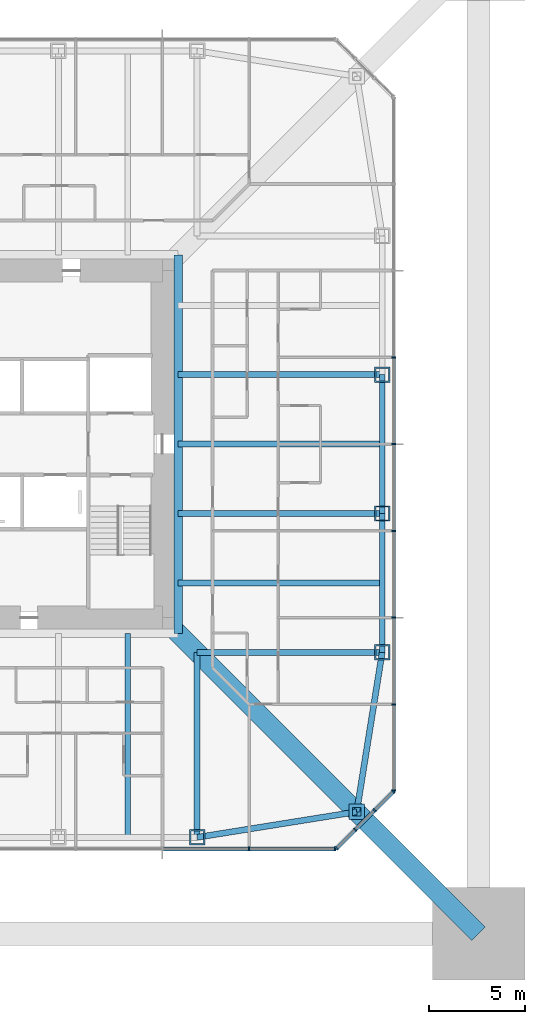
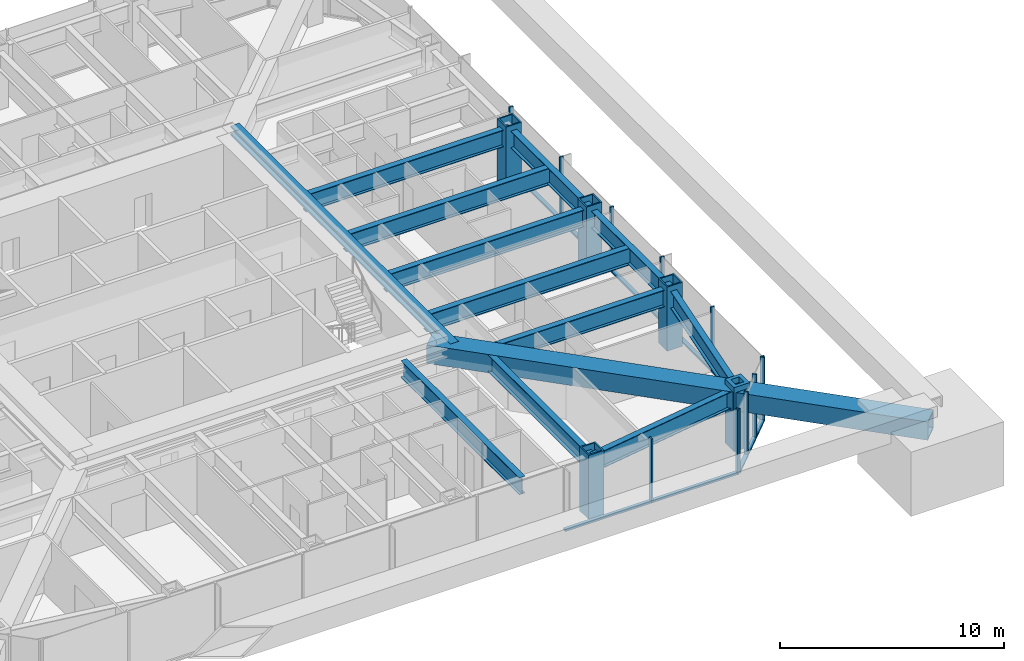
# One storey, part 7 of 20: 29 members, 12 beams, 3 elements without a shape of their own.
"""IFC4 building model written with IfcOpenShell, lengths in metres."""

from ifc_helpers import new_model, si_unit, direction, frame, origin, origin_2d, place, context, subcontext, project, spatial, rectangle, hollow_rectangle, i_section, extrude, material, material_profile, profile_set, type_object, element, aggregate, save


model = new_model("IFC4")

# Units and contexts
model_context = context("Model", 3, precision=1e-05, world=origin(), true_north=direction((0.0, 1.0)))
body_context = subcontext(model_context, "Body", "Model", "MODEL_VIEW")
ifc_project = project(units=[si_unit("LENGTHUNIT", "METRE"), si_unit("AREAUNIT", "SQUARE_METRE"), si_unit("VOLUMEUNIT", "CUBIC_METRE"), si_unit("PLANEANGLEUNIT", "RADIAN"), si_unit("MASSUNIT", "GRAM", prefix="KILO")], contexts=[model_context])

# Site, building, storey
site_placement = place(None, origin())
site = spatial("IfcSite", under=ifc_project, at=site_placement, CompositionType="ELEMENT")
building_placement = place(site_placement, origin())
building = spatial("IfcBuilding", under=site, at=building_placement, Name="Iwan Alto Co-Living Towers", CompositionType="ELEMENT")
storey_placement = place(building_placement, frame((0.0, 0.0, 140.0)))
storey = spatial("IfcBuildingStorey", under=building, at=storey_placement, Name="L38", CompositionType="ELEMENT", Elevation=140.0)

# Curtain wall, members
ifc_material_1 = material(Name="Bronze aluminium unitised frame", Category="aluminium")
curtain_wall_type_1 = type_object("IfcCurtainWallType", Name="CURTAIN WALL CW-A", PredefinedType="NOTDEFINED", material=ifc_material_1)
curtain_wall_1_placement = place(storey_placement, origin())
curtain_wall_1 = element("IfcCurtainWall", 1, at=curtain_wall_1_placement, inside=storey, type_object=curtain_wall_type_1, Name="T1 curtain wall S L38", PredefinedType="NOTDEFINED")
ifc_material_2 = material(Name="Aluminium 6063-T6 bronze anodised", Category="aluminium")
ifc_material_profile_1 = material_profile(ifc_material_2, rectangle(XDim=0.199951171875, YDim=0.080078125, at=origin_2d()), Name="AL 80X200")
ifc_profile_set_1 = profile_set([ifc_material_profile_1], Name="Aluminium 6063-T6 bronze anodised")
member_type_1 = type_object("IfcMemberType", Name="CW-A MULLION 80X200", PredefinedType="MULLION", material=ifc_profile_set_1)
member_1_placement = place(storey_placement, frame((13.5, -21.0, 0.0), z_axis=(0.0, 0.0, 1.0), x_axis=(0.0, 1.0, 0.0)))
member_1 = element("IfcMember", 2, at=member_1_placement, type_object=member_type_1, Name="CW-A mullion 8", PredefinedType="MULLION", context=body_context, shape_type="SweptSolid", body=[
    extrude(rectangle(XDim=0.199951171875, YDim=0.080078125, at=origin_2d()), origin(), (0.0, 0.0, 1.0), 3.5),
])
member_2_placement = place(storey_placement, frame((17.9599609375, -21.0, 0.0), z_axis=(0.0, 0.0, 1.0), x_axis=(0.0, 1.0, 0.0)))
member_2 = element("IfcMember", 3, at=member_2_placement, type_object=member_type_1, Name="CW-A mullion 9", PredefinedType="MULLION", context=body_context, shape_type="SweptSolid", body=[
    extrude(rectangle(XDim=0.199951171875, YDim=0.080078125, at=origin_2d()), origin(), (0.0, 0.0, 1.0), 3.5),
])

curtain_wall_2_placement = place(storey_placement, origin())
curtain_wall_2 = element("IfcCurtainWall", 4, at=curtain_wall_2_placement, inside=storey, type_object=curtain_wall_type_1, Name="T1 curtain wall E L38", PredefinedType="NOTDEFINED")
member_3_placement = place(storey_placement, frame((21.0, -17.9599609375, 0.0), z_axis=(0.0, 0.0, 1.0), x_axis=(-1.0, 0.0, 0.0)))
member_3 = element("IfcMember", 5, at=member_3_placement, type_object=member_type_1, Name="CW-A mullion 1", PredefinedType="MULLION", context=body_context, shape_type="SweptSolid", body=[
    extrude(rectangle(XDim=0.199951171875, YDim=0.080078125, at=origin_2d()), origin(), (0.0, 0.0, 1.0), 3.5),
])
member_4_placement = place(storey_placement, frame((21.0, -13.5, 0.0), z_axis=(0.0, 0.0, 1.0), x_axis=(-1.0, 0.0, 0.0)))
member_4 = element("IfcMember", 6, at=member_4_placement, type_object=member_type_1, Name="CW-A mullion 2", PredefinedType="MULLION", context=body_context, shape_type="SweptSolid", body=[
    extrude(rectangle(XDim=0.199951171875, YDim=0.080078125, at=origin_2d()), origin(), (0.0, 0.0, 1.0), 3.5),
])
member_5_placement = place(storey_placement, frame((21.0, -9.0, 0.0), z_axis=(0.0, 0.0, 1.0), x_axis=(-1.0, 0.0, 0.0)))
member_5 = element("IfcMember", 7, at=member_5_placement, type_object=member_type_1, Name="CW-A mullion 3", PredefinedType="MULLION", context=body_context, shape_type="SweptSolid", body=[
    extrude(rectangle(XDim=0.199951171875, YDim=0.080078125, at=origin_2d()), origin(), (0.0, 0.0, 1.0), 3.5),
])
member_6_placement = place(storey_placement, frame((21.0, -4.5, 0.0), z_axis=(0.0, 0.0, 1.0), x_axis=(-1.0, 0.0, 0.0)))
member_6 = element("IfcMember", 8, at=member_6_placement, type_object=member_type_1, Name="CW-A mullion 4", PredefinedType="MULLION", context=body_context, shape_type="SweptSolid", body=[
    extrude(rectangle(XDim=0.199951171875, YDim=0.080078125, at=origin_2d()), origin(), (0.0, 0.0, 1.0), 3.5),
])
member_7_placement = place(storey_placement, frame((21.0, 0.0, 0.0), z_axis=(0.0, 0.0, 1.0), x_axis=(-1.0, 0.0, 0.0)))
member_7 = element("IfcMember", 9, at=member_7_placement, type_object=member_type_1, Name="CW-A mullion 5", PredefinedType="MULLION", context=body_context, shape_type="SweptSolid", body=[
    extrude(rectangle(XDim=0.199951171875, YDim=0.080078125, at=origin_2d()), origin(), (0.0, 0.0, 1.0), 3.5),
])
member_8_placement = place(storey_placement, frame((21.0, 4.5, 0.0), z_axis=(0.0, 0.0, 1.0), x_axis=(-1.0, 0.0, 0.0)))
member_8 = element("IfcMember", 10, at=member_8_placement, type_object=member_type_1, Name="CW-A mullion 6", PredefinedType="MULLION", context=body_context, shape_type="SweptSolid", body=[
    extrude(rectangle(XDim=0.199951171875, YDim=0.080078125, at=origin_2d()), origin(), (0.0, 0.0, 1.0), 3.5),
])

# Member
ifc_material_3 = material(Name="Aluminium 6063-T6 bronze anodised", Category="aluminium")
ifc_material_profile_2 = material_profile(ifc_material_3, rectangle(XDim=0.199951171875, YDim=0.10009765625, at=origin_2d()), Name="AL 200X100")
ifc_profile_set_2 = profile_set([ifc_material_profile_2], Name="Aluminium 6063-T6 bronze anodised")
member_type_2 = type_object("IfcMemberType", Name="CW-A TRANSOM 200X100", PredefinedType="USERDEFINED", material=ifc_profile_set_2)
member_9_placement = place(storey_placement, frame((9.0400390625, -21.0, 0.050048828125), z_axis=(1.0, 0.0, 0.0), x_axis=(0.0, 1.0, 0.0)))
member_9 = element("IfcMember", 11, at=member_9_placement, type_object=member_type_2, Name="CW-A transom 7.1", ObjectType="TRANSOM", PredefinedType="USERDEFINED", context=body_context, shape_type="SweptSolid", body=[
    extrude(rectangle(XDim=0.199951171875, YDim=0.10009765625, at=origin_2d()), origin(), (0.0, 0.0, 1.0), 4.419921875),
])

member_10_placement = place(storey_placement, frame((13.5400390625, -21.0, 0.050048828125), z_axis=(1.0, 0.0, 0.0), x_axis=(0.0, 1.0, 0.0)))
member_10 = element("IfcMember", 12, at=member_10_placement, type_object=member_type_2, Name="CW-A transom 8.1", ObjectType="TRANSOM", PredefinedType="USERDEFINED", context=body_context, shape_type="SweptSolid", body=[
    extrude(rectangle(XDim=0.199951171875, YDim=0.10009765625, at=origin_2d()), origin(), (0.0, 0.0, 1.0), 4.3798828125),
])

aggregate(curtain_wall_1, [member_1, member_2, member_9, member_10])

member_11_placement = place(storey_placement, frame((21.0, -17.919921875, 0.050048828125), z_axis=(0.0, 1.0, 0.0), x_axis=(-1.0, 0.0, 0.0)))
member_11 = element("IfcMember", 13, at=member_11_placement, type_object=member_type_2, Name="CW-A transom 1.1", ObjectType="TRANSOM", PredefinedType="USERDEFINED", context=body_context, shape_type="SweptSolid", body=[
    extrude(rectangle(XDim=0.199951171875, YDim=0.10009765625, at=origin_2d()), origin(), (0.0, 0.0, 1.0), 4.3798828125),
])

member_12_placement = place(storey_placement, frame((21.0, -13.4599609375, 0.050048828125), z_axis=(0.0, 1.0, 0.0), x_axis=(-1.0, 0.0, 0.0)))
member_12 = element("IfcMember", 14, at=member_12_placement, type_object=member_type_2, Name="CW-A transom 2.1", ObjectType="TRANSOM", PredefinedType="USERDEFINED", context=body_context, shape_type="SweptSolid", body=[
    extrude(rectangle(XDim=0.199951171875, YDim=0.10009765625, at=origin_2d()), origin(), (0.0, 0.0, 1.0), 4.419921875),
])

member_13_placement = place(storey_placement, frame((21.0, -8.9599609375, 0.050048828125), z_axis=(0.0, 1.0, 0.0), x_axis=(-1.0, 0.0, 0.0)))
member_13 = element("IfcMember", 15, at=member_13_placement, type_object=member_type_2, Name="CW-A transom 3.1", ObjectType="TRANSOM", PredefinedType="USERDEFINED", context=body_context, shape_type="SweptSolid", body=[
    extrude(rectangle(XDim=0.199951171875, YDim=0.10009765625, at=origin_2d()), origin(), (0.0, 0.0, 1.0), 4.419921875),
])

member_14_placement = place(storey_placement, frame((21.0, -4.4599609375, 0.050048828125), z_axis=(0.0, 1.0, 0.0), x_axis=(-1.0, 0.0, 0.0)))
member_14 = element("IfcMember", 16, at=member_14_placement, type_object=member_type_2, Name="CW-A transom 4.1", ObjectType="TRANSOM", PredefinedType="USERDEFINED", context=body_context, shape_type="SweptSolid", body=[
    extrude(rectangle(XDim=0.199951171875, YDim=0.10009765625, at=origin_2d()), origin(), (0.0, 0.0, 1.0), 4.419921875),
])

member_15_placement = place(storey_placement, frame((21.0, 0.0400390625, 0.050048828125), z_axis=(0.0, 1.0, 0.0), x_axis=(-1.0, 0.0, 0.0)))
member_15 = element("IfcMember", 17, at=member_15_placement, type_object=member_type_2, Name="CW-A transom 5.1", ObjectType="TRANSOM", PredefinedType="USERDEFINED", context=body_context, shape_type="SweptSolid", body=[
    extrude(rectangle(XDim=0.199951171875, YDim=0.10009765625, at=origin_2d()), origin(), (0.0, 0.0, 1.0), 4.419921875),
])

aggregate(curtain_wall_2, [member_3, member_4, member_5, member_6, member_7, member_8, member_11, member_12, member_13, member_14, member_15])

# Curtain wall, members
ifc_material_4 = material(Name="Bronze aluminium unitised frame", Category="aluminium")
curtain_wall_type_2 = type_object("IfcCurtainWallType", Name="CURTAIN WALL CW-B", PredefinedType="NOTDEFINED", material=ifc_material_4)
curtain_wall_3_placement = place(storey_placement, origin())
curtain_wall_3 = element("IfcCurtainWall", 18, at=curtain_wall_3_placement, inside=storey, type_object=curtain_wall_type_2, Name="T1 chamfer curtain wall SE L38", PredefinedType="NOTDEFINED")
ifc_material_5 = material(Name="Aluminium 6063-T6 bronze anodised", Category="aluminium")
ifc_material_profile_3 = material_profile(ifc_material_5, rectangle(XDim=0.199951171875, YDim=0.080078125, at=origin_2d()), Name="AL 80X200")
ifc_profile_set_3 = profile_set([ifc_material_profile_3], Name="Aluminium 6063-T6 bronze anodised")
member_type_3 = type_object("IfcMemberType", Name="CW-B MULLION 80X200", PredefinedType="MULLION", material=ifc_profile_set_3)
member_16_placement = place(storey_placement, frame((18.0283203125, -20.9716796875, 0.0), z_axis=(0.0, 0.0, 1.0), x_axis=(-0.707106781187, 0.707106781187, 0.0)))
member_16 = element("IfcMember", 19, at=member_16_placement, type_object=member_type_3, Name="CW-B mullion 1", PredefinedType="MULLION", context=body_context, shape_type="SweptSolid", body=[
    extrude(rectangle(XDim=0.199951171875, YDim=0.080078125, at=origin_2d()), origin(), (0.0, 0.0, 1.0), 3.5),
])
member_17_placement = place(storey_placement, frame((19.0, -20.0, 0.0), z_axis=(0.0, 0.0, 1.0), x_axis=(-0.707106781187, 0.707106781187, 0.0)))
member_17 = element("IfcMember", 20, at=member_17_placement, type_object=member_type_3, Name="CW-B mullion 2", PredefinedType="MULLION", context=body_context, shape_type="SweptSolid", body=[
    extrude(rectangle(XDim=0.199951171875, YDim=0.080078125, at=origin_2d()), origin(), (0.0, 0.0, 1.0), 3.5),
])
member_18_placement = place(storey_placement, frame((20.0, -19.0, 0.0), z_axis=(0.0, 0.0, 1.0), x_axis=(-0.707106781187, 0.707106781187, 0.0)))
member_18 = element("IfcMember", 21, at=member_18_placement, type_object=member_type_3, Name="CW-B mullion 3", PredefinedType="MULLION", context=body_context, shape_type="SweptSolid", body=[
    extrude(rectangle(XDim=0.199951171875, YDim=0.080078125, at=origin_2d()), origin(), (0.0, 0.0, 1.0), 3.5),
])
member_19_placement = place(storey_placement, frame((20.9716796875, -18.0283203125, 0.0), z_axis=(0.0, 0.0, 1.0), x_axis=(-0.707106781187, 0.707106781187, 0.0)))
member_19 = element("IfcMember", 22, at=member_19_placement, type_object=member_type_3, Name="CW-B mullion 4", PredefinedType="MULLION", context=body_context, shape_type="SweptSolid", body=[
    extrude(rectangle(XDim=0.199951171875, YDim=0.080078125, at=origin_2d()), origin(), (0.0, 0.0, 1.0), 3.5),
])
ifc_material_6 = material(Name="Aluminium 6063-T6 bronze anodised", Category="aluminium")
ifc_material_profile_4 = material_profile(ifc_material_6, rectangle(XDim=0.199951171875, YDim=0.10009765625, at=origin_2d()), Name="AL 200X100")
ifc_profile_set_4 = profile_set([ifc_material_profile_4], Name="Aluminium 6063-T6 bronze anodised")
member_type_4 = type_object("IfcMemberType", Name="CW-B TRANSOM 200X100", PredefinedType="USERDEFINED", material=ifc_profile_set_4)
member_20_placement = place(storey_placement, frame((18.056640625, -20.943359375, 0.050048828125), z_axis=(0.707106781187, 0.707106781187, 0.0), x_axis=(-0.707106781187, 0.707106781187, 0.0)))
member_20 = element("IfcMember", 23, at=member_20_placement, type_object=member_type_4, Name="CW-B transom 1.1", ObjectType="TRANSOM", PredefinedType="USERDEFINED", context=body_context, shape_type="SweptSolid", body=[
    extrude(rectangle(XDim=0.199951171875, YDim=0.10009765625, at=origin_2d()), origin(), (0.0, 0.0, 1.0), 1.2939453125),
])
member_21_placement = place(storey_placement, frame((19.0283203125, -19.9716796875, 0.050048828125), z_axis=(0.707106781187, 0.707106781187, 0.0), x_axis=(-0.707106781187, 0.707106781187, 0.0)))
member_21 = element("IfcMember", 24, at=member_21_placement, type_object=member_type_4, Name="CW-B transom 2.1", ObjectType="TRANSOM", PredefinedType="USERDEFINED", context=body_context, shape_type="SweptSolid", body=[
    extrude(rectangle(XDim=0.199951171875, YDim=0.10009765625, at=origin_2d()), origin(), (0.0, 0.0, 1.0), 1.334228515625),
])
member_22_placement = place(storey_placement, frame((20.0283203125, -18.9716796875, 0.050048828125), z_axis=(0.707106781187, 0.707106781187, 0.0), x_axis=(-0.707106781187, 0.707106781187, 0.0)))
member_22 = element("IfcMember", 25, at=member_22_placement, type_object=member_type_4, Name="CW-B transom 3.1", ObjectType="TRANSOM", PredefinedType="USERDEFINED", context=body_context, shape_type="SweptSolid", body=[
    extrude(rectangle(XDim=0.199951171875, YDim=0.10009765625, at=origin_2d()), origin(), (0.0, 0.0, 1.0), 1.2939453125),
])
aggregate(curtain_wall_3, [member_16, member_17, member_18, member_19, member_20, member_21, member_22])

# Beams
ifc_material_7 = material(Name="Steel ASTM A992 Gr 50", Category="steel")
ifc_material_profile_5 = material_profile(ifc_material_7, i_section(OverallWidth=0.307373046875, OverallDepth=0.927001953125, WebThickness=0.01953125, FlangeThickness=0.031982421875, at=origin_2d()), Name="W36X194")
ifc_profile_set_5 = profile_set([ifc_material_profile_5], Name="Steel ASTM A992 Gr 50")
beam_type_1 = type_object("IfcBeamType", Name="T1 BELT TRUSS CHORD W36X194", PredefinedType="BEAM", material=ifc_profile_set_5)
for number, where, z_axis, x_axis, name in (
    (26, (10.800048828125, -20.39990234375, 2.736328125), (0.987438450439, 0.158004134737, 0.0), (-0.158004134737, 0.987438450439, 0.0), "T1 edge beam S4 L39"),
    (27, (19.07568359375, -19.07568359375, 2.736328125), (0.158004134737, 0.987438450439, 0.0), (-0.987438450439, 0.158004134737, 0.0), "T1 edge beam CSE L39"),
):
    element("IfcBeam", number, at=place(storey_placement, frame(where, z_axis=z_axis, x_axis=x_axis)), inside=storey, type_object=beam_type_1, Name=name, PredefinedType="BEAM", context=body_context, shape_type="SweptSolid", body=[
        extrude(i_section(OverallWidth=0.307373046875, OverallDepth=0.927001953125, WebThickness=0.01953125, FlangeThickness=0.031982421875, at=origin_2d()), origin(), (0.0, 0.0, 1.0), 8.380859375),
    ])
beam_1_placement = place(storey_placement, frame((20.39990234375, -10.800048828125, 2.736328125), z_axis=(0.0, 1.0, 0.0), x_axis=(-1.0, 0.0, 0.0)))
element("IfcBeam", 28, at=beam_1_placement, inside=storey, type_object=beam_type_1, Name="T1 edge beam E1 L39", PredefinedType="BEAM", context=body_context, shape_type="SweptSolid", body=[
    extrude(i_section(OverallWidth=0.307373046875, OverallDepth=0.927001953125, WebThickness=0.01953125, FlangeThickness=0.031982421875, at=origin_2d()), origin(), (0.0, 0.0, 1.0), 7.199951171875),
])
beam_2_placement = place(storey_placement, frame((20.39990234375, -3.60009765625, 2.736328125), z_axis=(0.0, 1.0, 0.0), x_axis=(-1.0, 0.0, 0.0)))
element("IfcBeam", 29, at=beam_2_placement, inside=storey, type_object=beam_type_1, Name="T1 edge beam E2 L39", PredefinedType="BEAM", context=body_context, shape_type="SweptSolid", body=[
    extrude(i_section(OverallWidth=0.307373046875, OverallDepth=0.927001953125, WebThickness=0.01953125, FlangeThickness=0.031982421875, at=origin_2d()), origin(), (0.0, 0.0, 1.0), 7.2001953125),
])
ifc_material_8 = material(Name="Steel ASTM A992 Gr 50", Category="steel")
ifc_material_profile_6 = material_profile(ifc_material_8, i_section(OverallWidth=0.436767578125, OverallDepth=0.51318359375, WebThickness=0.060546875, FlangeThickness=0.096923828125, at=origin_2d()), Name="W14X550")
ifc_profile_set_6 = profile_set([ifc_material_profile_6], Name="Steel ASTM A992 Gr 50")
beam_type_2 = type_object("IfcBeamType", Name="T1 CORE LEDGER BEAM W14X550", PredefinedType="BEAM", material=ifc_profile_set_6)
beam_3_placement = place(storey_placement, frame((9.818359375, -9.818359375, 2.943359375), z_axis=(0.0, 1.0, 0.0), x_axis=(-1.0, 0.0, 0.0)))
element("IfcBeam", 30, at=beam_3_placement, inside=storey, type_object=beam_type_2, Name="T1 core ledger beam E L39", PredefinedType="BEAM", context=body_context, shape_type="SweptSolid", body=[
    extrude(i_section(OverallWidth=0.436767578125, OverallDepth=0.51318359375, WebThickness=0.060546875, FlangeThickness=0.096923828125, at=origin_2d()), origin(), (0.0, 0.0, 1.0), 19.63671875),
])

# Members
ifc_material_9 = material(Name="Steel ASTM A36", Category="steel")
ifc_material_profile_7 = material_profile(ifc_material_9, hollow_rectangle(XDim=0.800048828125, YDim=0.800048828125, WallThickness=0.179931640625, at=origin_2d()), Name="BOX 800X800X180")
ifc_profile_set_7 = profile_set([ifc_material_profile_7], Name="Steel ASTM A36")
member_type_5 = type_object("IfcMemberType", Name="T1 HEAVY RING POST AT STEP BOX 800X800X180", PredefinedType="MEMBER", material=ifc_profile_set_7)
member_23_placement = place(storey_placement, frame((19.07568359375, -19.07568359375, 0.0), z_axis=(0.0, 0.0, 1.0), x_axis=(1.0, 0.0, 0.0)))
element("IfcMember", 31, at=member_23_placement, inside=storey, type_object=member_type_5, Name="T1 ring post at step CSE L38", PredefinedType="MEMBER", context=body_context, shape_type="SweptSolid", body=[
    extrude(hollow_rectangle(XDim=0.800048828125, YDim=0.800048828125, WallThickness=0.179931640625, at=origin_2d()), origin(), (0.0, 0.0, 1.0), 3.5),
])
ifc_material_10 = material(Name="Steel ASTM A572 Gr 50", Category="steel")
ifc_material_profile_8 = material_profile(ifc_material_10, hollow_rectangle(XDim=1.0, YDim=1.0, WallThickness=0.070068359375, at=origin_2d()), Name="BOX 1000X1000X70")
ifc_profile_set_8 = profile_set([ifc_material_profile_8], Name="Steel ASTM A572 Gr 50")
member_type_6 = type_object("IfcMemberType", Name="T1 OUTRIGGER CHORD BOX 1000X1000X70", PredefinedType="CHORD", material=ifc_profile_set_8)
member_24_placement = place(storey_placement, frame((9.0, -9.0, 2.699951171875), z_axis=(0.707106781187, -0.707106781187, 0.0), x_axis=(0.707106781187, 0.707106781187, 0.0)))
element("IfcMember", 32, at=member_24_placement, inside=storey, type_object=member_type_6, Name="T1 outrigger SE L39 bottom chord 1", PredefinedType="CHORD", context=body_context, shape_type="SweptSolid", body=[
    extrude(hollow_rectangle(XDim=1.0, YDim=1.0, WallThickness=0.070068359375, at=origin_2d()), origin(), (0.0, 0.0, 1.0), 14.249267578125),
])
member_25_placement = place(storey_placement, frame((19.07568359375, -19.07568359375, 2.699951171875), z_axis=(0.707106781187, -0.707106781187, 0.0), x_axis=(0.707106781187, 0.707106781187, 0.0)))
element("IfcMember", 33, at=member_25_placement, inside=storey, type_object=member_type_6, Name="T1 outrigger SE L39 bottom chord 2", PredefinedType="CHORD", context=body_context, shape_type="SweptSolid", body=[
    extrude(hollow_rectangle(XDim=1.0, YDim=1.0, WallThickness=0.070068359375, at=origin_2d()), origin(), (0.0, 0.0, 1.0), 8.94384765625),
])

# Beams
ifc_material_11 = material(Name="Steel ASTM A992 Gr 50", Category="steel")
ifc_material_profile_9 = material_profile(ifc_material_11, i_section(OverallWidth=0.307373046875, OverallDepth=0.927001953125, WebThickness=0.01953125, FlangeThickness=0.031982421875, at=origin_2d()), Name="W36X194")
ifc_profile_set_9 = profile_set([ifc_material_profile_9], Name="Steel ASTM A992 Gr 50")
beam_type_3 = type_object("IfcBeamType", Name="T1 RADIAL BEAM W36X194", PredefinedType="BEAM", material=ifc_profile_set_9)
for number, where, z_axis, x_axis, name in (
    (34, (10.800048828125, -20.39990234375, 2.736328125), (0.0, 1.0, 0.0), (-1.0, 0.0, 0.0), "T1 radial beam S4 L39"),
    (35, (20.39990234375, -10.800048828125, 2.736328125), (-1.0, 0.0, 0.0), (0.0, -1.0, 0.0), "T1 radial beam E1 L39"),
):
    element("IfcBeam", number, at=place(storey_placement, frame(where, z_axis=z_axis, x_axis=x_axis)), inside=storey, type_object=beam_type_3, Name=name, PredefinedType="BEAM", context=body_context, shape_type="SweptSolid", body=[
        extrude(i_section(OverallWidth=0.307373046875, OverallDepth=0.927001953125, WebThickness=0.01953125, FlangeThickness=0.031982421875, at=origin_2d()), origin(), (0.0, 0.0, 1.0), 9.599853515625),
    ])
for number, where, z_axis, x_axis, name in (
    (36, (20.39990234375, -3.60009765625, 2.736328125), (-1.0, 0.0, 0.0), (0.0, -1.0, 0.0), "T1 radial beam E2 L39"),
    (37, (20.39990234375, 3.60009765625, 2.736328125), (-1.0, 0.0, 0.0), (0.0, -1.0, 0.0), "T1 radial beam E3 L39"),
):
    element("IfcBeam", number, at=place(storey_placement, frame(where, z_axis=z_axis, x_axis=x_axis)), inside=storey, type_object=beam_type_3, Name=name, PredefinedType="BEAM", context=body_context, shape_type="SweptSolid", body=[
        extrude(i_section(OverallWidth=0.307373046875, OverallDepth=0.927001953125, WebThickness=0.01953125, FlangeThickness=0.031982421875, at=origin_2d()), origin(), (0.0, 0.0, 1.0), 10.58154296875),
    ])

# Members
ifc_material_12 = material(Name="Steel ASTM A572 Gr 50", Category="steel")
ifc_material_profile_10 = material_profile(ifc_material_12, hollow_rectangle(XDim=0.800048828125, YDim=0.800048828125, WallThickness=0.070068359375, at=origin_2d()), Name="BOX 800X800X70")
ifc_profile_set_10 = profile_set([ifc_material_profile_10], Name="Steel ASTM A572 Gr 50")
member_type_7 = type_object("IfcMemberType", Name="T1 RING POST AT STEP BOX 800X800X70", PredefinedType="MEMBER", material=ifc_profile_set_10)
for number, where, z_axis, x_axis, name in (
    (38, (10.800048828125, -20.39990234375, 0.0), (0.0, 0.0, 1.0), (1.0, 0.0, 0.0), "T1 ring post at step S4 L38"),
    (39, (20.39990234375, -10.800048828125, 0.0), (0.0, 0.0, 1.0), (1.0, 0.0, 0.0), "T1 ring post at step E1 L38"),
    (40, (20.39990234375, -3.60009765625, 0.0), (0.0, 0.0, 1.0), (1.0, 0.0, 0.0), "T1 ring post at step E2 L38"),
    (41, (20.39990234375, 3.60009765625, 0.0), (0.0, 0.0, 1.0), (1.0, 0.0, 0.0), "T1 ring post at step E3 L38"),
):
    element("IfcMember", number, at=place(storey_placement, frame(where, z_axis=z_axis, x_axis=x_axis)), inside=storey, type_object=member_type_7, Name=name, PredefinedType="MEMBER", context=body_context, shape_type="SweptSolid", body=[
        extrude(hollow_rectangle(XDim=0.800048828125, YDim=0.800048828125, WallThickness=0.070068359375, at=origin_2d()), origin(), (0.0, 0.0, 1.0), 3.5),
    ])

# Beams
ifc_material_13 = material(Name="Steel ASTM A992 Gr 50", Category="steel")
ifc_material_profile_11 = material_profile(ifc_material_13, i_section(OverallWidth=0.307373046875, OverallDepth=0.927001953125, WebThickness=0.01953125, FlangeThickness=0.031982421875, at=origin_2d()), Name="W36X194")
ifc_profile_set_11 = profile_set([ifc_material_profile_11], Name="Steel ASTM A992 Gr 50")
beam_type_4 = type_object("IfcBeamType", Name="T1 SECONDARY BEAM W36X194", PredefinedType="JOIST", material=ifc_profile_set_11)
for number, where, z_axis, x_axis, name in (
    (42, (7.199951171875, -20.39990234375, 2.736328125), (0.0, 1.0, 0.0), (-1.0, 0.0, 0.0), "T1 secondary beam S3 L39"),
    (43, (20.39990234375, -7.199951171875, 2.736328125), (-1.0, 0.0, 0.0), (0.0, -1.0, 0.0), "T1 secondary beam E1 L39"),
    (44, (20.39990234375, 0.0, 2.736328125), (-1.0, 0.0, 0.0), (0.0, -1.0, 0.0), "T1 secondary beam E2 L39"),
):
    element("IfcBeam", number, at=place(storey_placement, frame(where, z_axis=z_axis, x_axis=x_axis)), inside=storey, type_object=beam_type_4, Name=name, PredefinedType="JOIST", context=body_context, shape_type="SweptSolid", body=[
        extrude(i_section(OverallWidth=0.307373046875, OverallDepth=0.927001953125, WebThickness=0.01953125, FlangeThickness=0.031982421875, at=origin_2d()), origin(), (0.0, 0.0, 1.0), 10.58154296875),
    ])

save(model, "model.ifc")
